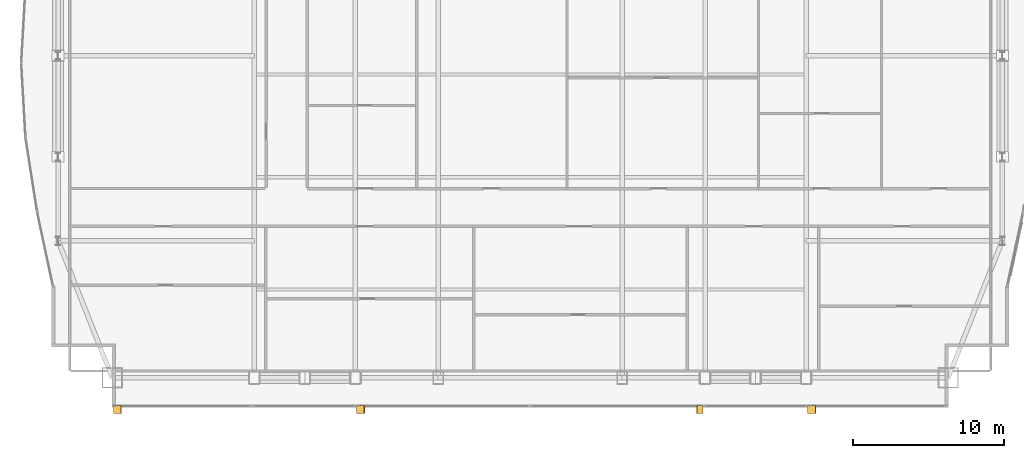
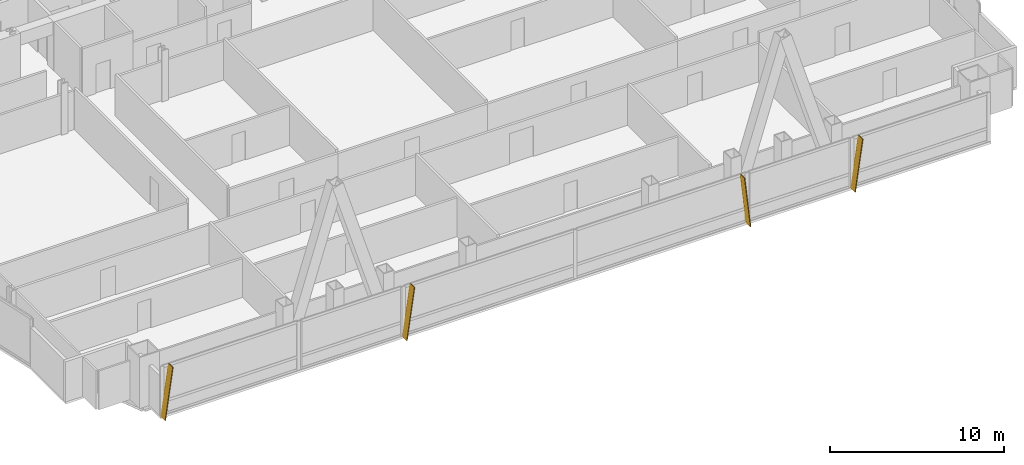
# One storey, part 29 of 30: 4 shading devices.
"""IFC4 building model written with IfcOpenShell, lengths in metres."""

from ifc_helpers import new_model, si_unit, direction, frame, origin, place, context, subcontext, project, spatial, polyline, outline, extrude, material, layer, layer_set, type_object, element, save


model = new_model("IFC4")

# Units and contexts
model_context = context("Model", 3, precision=1e-05, world=origin(), true_north=direction((0.0, 1.0)))
body_context = subcontext(model_context, "Body", "Model", "MODEL_VIEW")
ifc_project = project(units=[si_unit("LENGTHUNIT", "METRE"), si_unit("AREAUNIT", "SQUARE_METRE"), si_unit("VOLUMEUNIT", "CUBIC_METRE"), si_unit("PLANEANGLEUNIT", "RADIAN"), si_unit("MASSUNIT", "GRAM", prefix="KILO")], contexts=[model_context])

# Site, building, storey
site_placement = place(None, origin())
site = spatial("IfcSite", under=ifc_project, at=site_placement, CompositionType="ELEMENT")
building_placement = place(site_placement, origin())
building = spatial("IfcBuilding", under=site, at=building_placement, Name="Khoronbel Lancet Exchange", CompositionType="ELEMENT")
storey_placement = place(building_placement, frame((0.0, 0.0, 157.800048828125)))
storey = spatial("IfcBuildingStorey", under=building, at=storey_placement, Name="L39", CompositionType="ELEMENT", Elevation=157.800048828125)

# Shading devices
ifc_material = material(Name="Bronze-Anodised Aluminium 6063-T6", Category="aluminium")
ifc_layer = layer(ifc_material, 0.054931640625, Name="Bronze-Anodised Aluminium 6063-T6")
ifc_layer_set = layer_set([ifc_layer], Name="Bronze-Anodised Aluminium 6063-T6")
shading_device_type = type_object("IfcShadingDeviceType", Name="SHD-FIN1", PredefinedType="USERDEFINED", material=ifc_layer_set)
for number, where, z_axis, x_axis, name in (
    (1, (8.91259765625, 8.31005859375, -0.080078125), (-0.990092925251, 0.0, 0.140413672296), (0.0, -1.0, 0.0), "Slanted bronze solar fin CW-L39-SWV-0"),
    (2, (24.972412109375, 8.31005859375, -0.080078125), (-0.990083483708, 0.0, 0.140480230955), (0.0, -1.0, 0.0), "Slanted bronze solar fin CW-L39-SCV-0"),
):
    element("IfcShadingDevice", number, at=place(storey_placement, frame(where, z_axis=z_axis, x_axis=x_axis)), inside=storey, type_object=shading_device_type, Name=name, ObjectType="FIN", PredefinedType="USERDEFINED", context=body_context, shape_type="SweptSolid", body=[
        extrude(outline(polyline([(0.0, 0.0), (0.52001953125, 0.0), (0.52001953125, 3.595703125), (0.0, 3.595703125), (0.0, 0.0)])), origin(), (0.0, 0.0, -1.0), 0.054931640625),
    ])
shading_device_1_placement = place(storey_placement, frame((47.87255859375, 8.31005859375, -0.080078125), z_axis=(0.993900347655, 0.0, 0.110281906632), x_axis=(0.0, -1.0, 0.0)))
element("IfcShadingDevice", 3, at=shading_device_1_placement, inside=storey, type_object=shading_device_type, Name="Slanted bronze solar fin CW-L39-SCV-2", ObjectType="FIN", PredefinedType="USERDEFINED", context=body_context, shape_type="SweptSolid", body=[
    extrude(outline(polyline([(0.0, 0.0), (0.52001953125, 0.0), (0.52001953125, -3.581787109375), (0.0, -3.581787109375), (0.0, 0.0)])), origin(), (0.0, 0.0, -1.0), 0.054931640625),
])
shading_device_2_placement = place(storey_placement, frame((54.7724609375, 8.31005859375, -0.080078125), z_axis=(-0.990083483708, 0.0, 0.140480230955), x_axis=(0.0, -1.0, 0.0)))
element("IfcShadingDevice", 4, at=shading_device_2_placement, inside=storey, type_object=shading_device_type, Name="Slanted bronze solar fin CW-L39-SEV-0", ObjectType="FIN", PredefinedType="USERDEFINED", context=body_context, shape_type="SweptSolid", body=[
    extrude(outline(polyline([(0.0, 0.0), (0.52001953125, 0.0), (0.52001953125, 3.595703125), (0.0, 3.595703125), (0.0, 0.0)])), origin(), (0.0, 0.0, -1.0), 0.054931640625),
])

save(model, "model.ifc")
